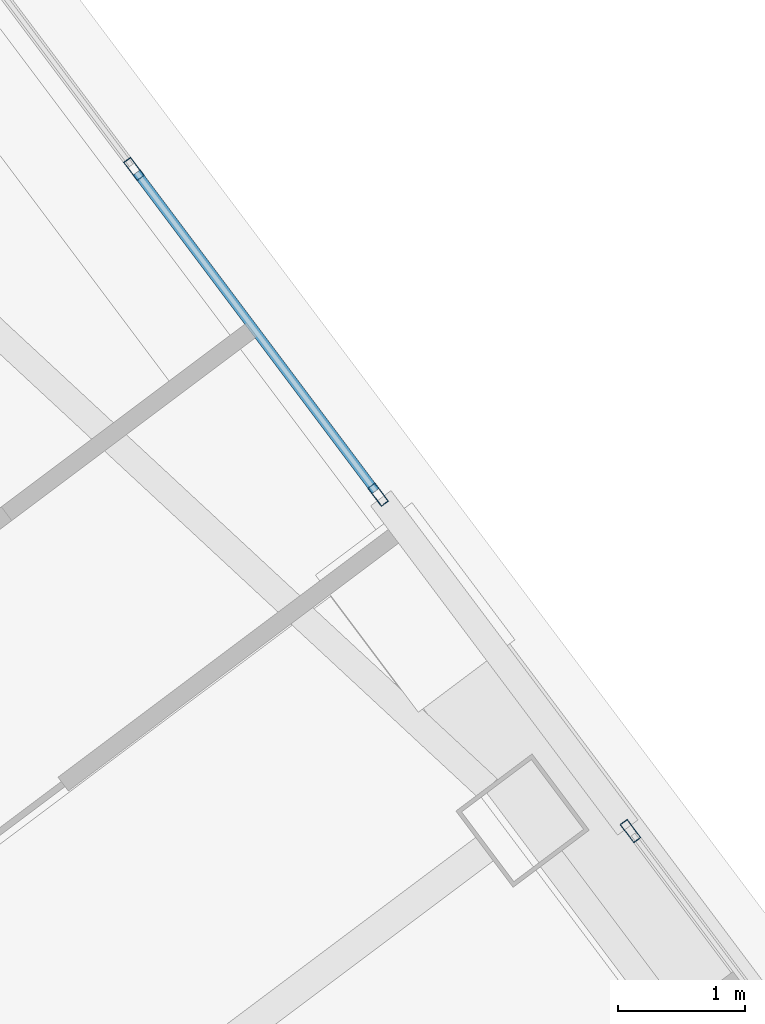
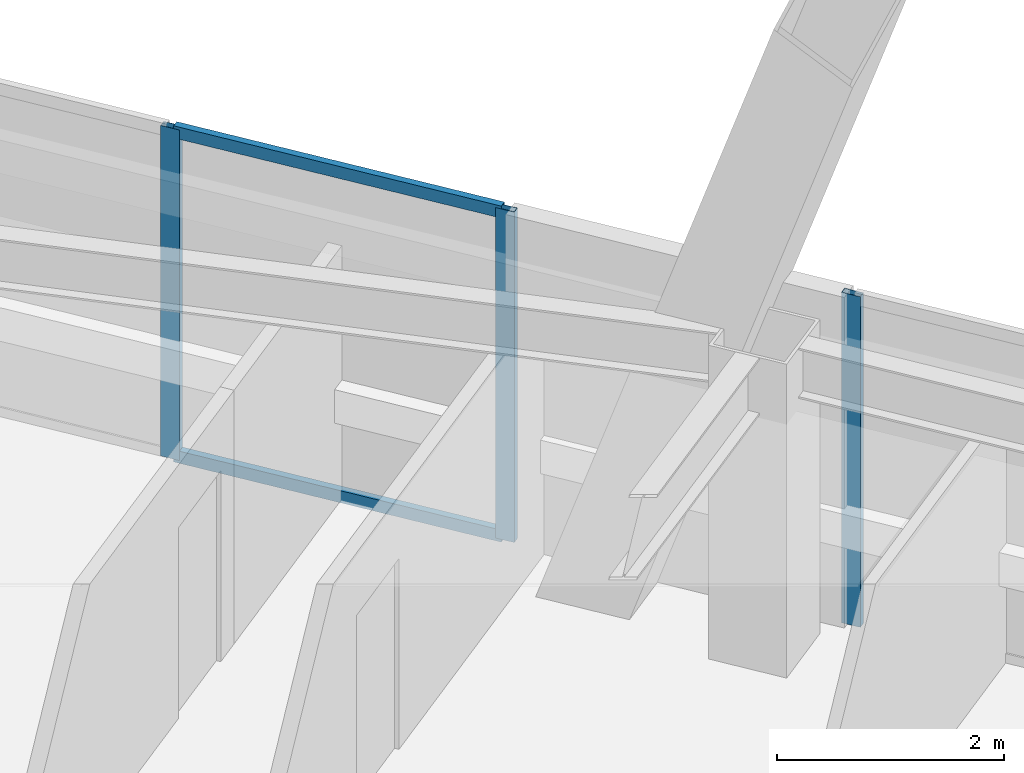
# One storey, part 42 of 55: 5 members, 2 elements without a shape of their own.
"""IFC4 building model written with IfcOpenShell, lengths in metres."""

from ifc_helpers import new_model, si_unit, direction, frame, origin, origin_2d, place, context, subcontext, project, spatial, hollow_rectangle, extrude, material, material_profile, profile_set, type_object, element, aggregate, save


model = new_model("IFC4")

# Units and contexts
model_context = context("Model", 3, precision=1e-05, world=origin(), true_north=direction((0.0, 1.0)))
body_context = subcontext(model_context, "Body", "Model", "MODEL_VIEW")
ifc_project = project(units=[si_unit("LENGTHUNIT", "METRE"), si_unit("AREAUNIT", "SQUARE_METRE"), si_unit("VOLUMEUNIT", "CUBIC_METRE"), si_unit("PLANEANGLEUNIT", "RADIAN"), si_unit("MASSUNIT", "GRAM", prefix="KILO")], contexts=[model_context])

# Site, building, storey
site_placement = place(None, origin())
site = spatial("IfcSite", under=ifc_project, at=site_placement, CompositionType="ELEMENT")
building_placement = place(site_placement, origin())
building = spatial("IfcBuilding", under=site, at=building_placement, Name="Tashvorn Skyway Center", CompositionType="ELEMENT")
storey_placement = place(building_placement, frame((0.0, 0.0, 178.300048828125)))
storey = spatial("IfcBuildingStorey", under=building, at=storey_placement, Name="L48", CompositionType="ELEMENT", Elevation=178.300048828125)

# Curtain wall, members
ifc_material = material(Name="Thermally broken bronze-anodized aluminium 6063-T6", Category="aluminium")
curtain_wall_type = type_object("IfcCurtainWallType", Name="CW-CW-Z4", PredefinedType="NOTDEFINED", material=ifc_material)
curtain_wall_1_placement = place(storey_placement, origin())
curtain_wall_1 = element("IfcCurtainWall", 1, at=curtain_wall_1_placement, inside=storey, type_object=curtain_wall_type, Name="Tower 2 L48 East Unitised Curtain Wall Glazing Group 1", PredefinedType="NOTDEFINED")
ifc_material_profile_1 = material_profile(ifc_material, hollow_rectangle(XDim=0.070068359375, YDim=0.179931640625, WallThickness=0.00390625, at=origin_2d()), Name="ALU-MULL-70x180")
ifc_profile_set_1 = profile_set([ifc_material_profile_1], Name="Thermally broken bronze-anodized aluminium 6063-T6")
member_type_1 = type_object("IfcMemberType", Name="CWM-CW-Z4", PredefinedType="MULLION", material=ifc_profile_set_1)
member_1_placement = place(storey_placement, frame((120.6201171875, 51.139892578125, 0.0), z_axis=(0.0, 0.0, 1.0), x_axis=(0.799999999998, 0.600000000002, 0.0)))
member_1 = element("IfcMember", 2, at=member_1_placement, type_object=member_type_1, Name="CW-Z4 mullion 2", PredefinedType="MULLION", context=body_context, shape_type="SweptSolid", body=[
    extrude(hollow_rectangle(XDim=0.070068359375, YDim=0.179931640625, WallThickness=0.00390625, at=origin_2d()), origin(), (0.0, 0.0, 1.0), 3.550048828125),
])
member_2_placement = place(storey_placement, frame((122.54296875, 48.575927734375, 0.0), z_axis=(0.0, 0.0, 1.0), x_axis=(0.799999999998, 0.600000000002, 0.0)))
member_2 = element("IfcMember", 3, at=member_2_placement, type_object=member_type_1, Name="CW-Z4 mullion 3", PredefinedType="MULLION", context=body_context, shape_type="SweptSolid", body=[
    extrude(hollow_rectangle(XDim=0.070068359375, YDim=0.179931640625, WallThickness=0.00390625, at=origin_2d()), origin(), (0.0, 0.0, 1.0), 3.550048828125),
])

# Curtain wall, member
curtain_wall_2_placement = place(storey_placement, origin())
curtain_wall_2 = element("IfcCurtainWall", 4, at=curtain_wall_2_placement, inside=storey, type_object=curtain_wall_type, Name="Tower 2 L48 East Unitised Curtain Wall Glazing Group 2", PredefinedType="NOTDEFINED")
member_3_placement = place(storey_placement, frame((124.529052734375, 45.927978515625, 0.0), z_axis=(0.0, 0.0, 1.0), x_axis=(0.799999999998, 0.600000000002, 0.0)))
member_3 = element("IfcMember", 5, at=member_3_placement, type_object=member_type_1, Name="CW-Z4 mullion 1", PredefinedType="MULLION", context=body_context, shape_type="SweptSolid", body=[
    extrude(hollow_rectangle(XDim=0.070068359375, YDim=0.179931640625, WallThickness=0.00390625, at=origin_2d()), origin(), (0.0, 0.0, 1.0), 3.550048828125),
])
aggregate(curtain_wall_2, [member_3])

# Member
ifc_material_profile_2 = material_profile(ifc_material, hollow_rectangle(XDim=0.070068359375, YDim=0.1298828125, WallThickness=0.00390625, at=origin_2d()), Name="ALU-TRAN-70x130")
ifc_profile_set_2 = profile_set([ifc_material_profile_2], Name="Thermally broken bronze-anodized aluminium 6063-T6")
member_type_2 = type_object("IfcMemberType", Name="CWT-CW-Z4", PredefinedType="USERDEFINED", material=ifc_profile_set_2)
member_4_placement = place(storey_placement, frame((120.64111328125, 51.112060546875, 0.034912109375), z_axis=(0.599962618496, -0.800028034763, 0.0), x_axis=(0.800028034763, 0.599962618496, 0.0)))
member_4 = element("IfcMember", 6, at=member_4_placement, type_object=member_type_2, Name="CW-Z4 transom 2.1", ObjectType="TRANSOM", PredefinedType="USERDEFINED", context=body_context, shape_type="SweptSolid", body=[
    extrude(hollow_rectangle(XDim=0.070068359375, YDim=0.1298828125, WallThickness=0.00390625, at=origin_2d()), origin(), (0.0, 0.0, 1.0), 3.135009765625),
])

member_5_placement = place(storey_placement, frame((120.64111328125, 51.112060546875, 3.514892578125), z_axis=(0.599962618496, -0.800028034763, 0.0), x_axis=(0.800028034763, 0.599962618496, 0.0)))
member_5 = element("IfcMember", 7, at=member_5_placement, type_object=member_type_2, Name="CW-Z4 transom 2.2", ObjectType="TRANSOM", PredefinedType="USERDEFINED", context=body_context, shape_type="SweptSolid", body=[
    extrude(hollow_rectangle(XDim=0.070068359375, YDim=0.1298828125, WallThickness=0.00390625, at=origin_2d()), origin(), (0.0, 0.0, 1.0), 3.135009765625),
])

aggregate(curtain_wall_1, [member_1, member_2, member_4, member_5])

save(model, "model.ifc")
